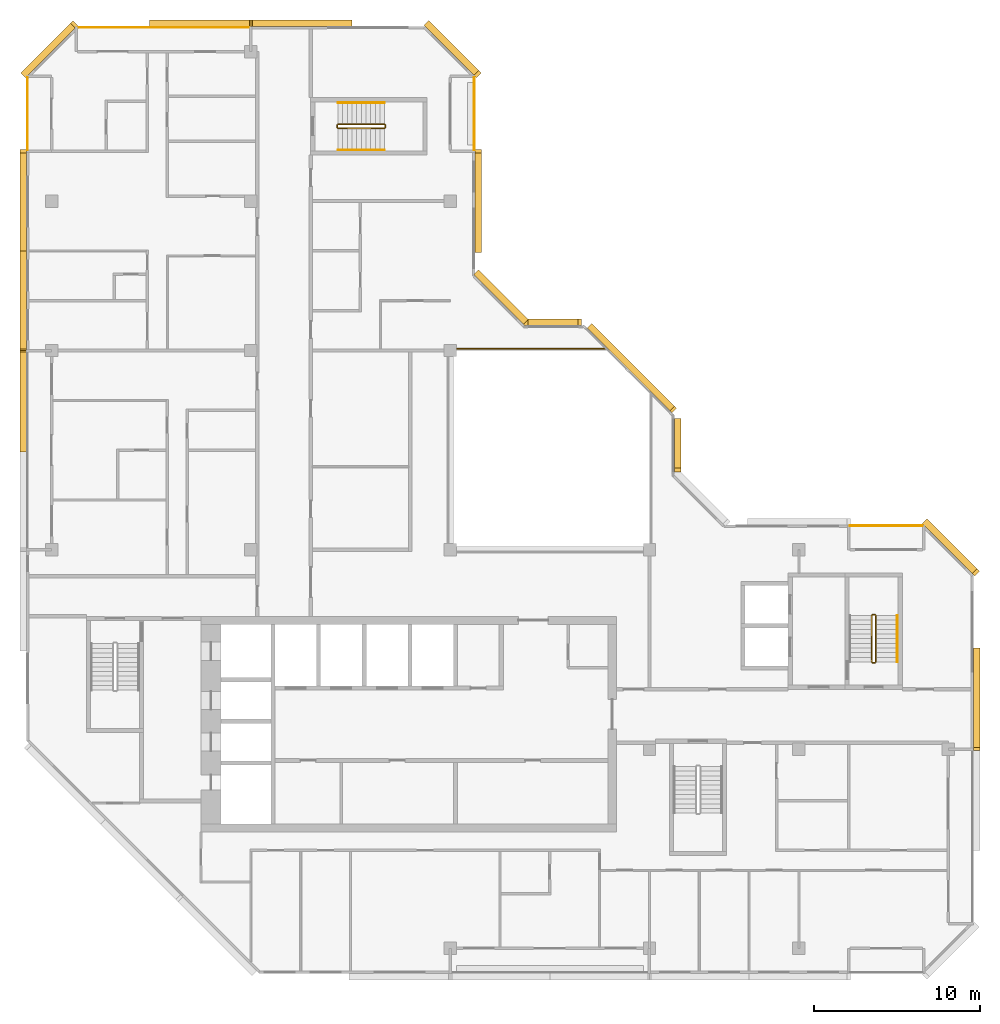
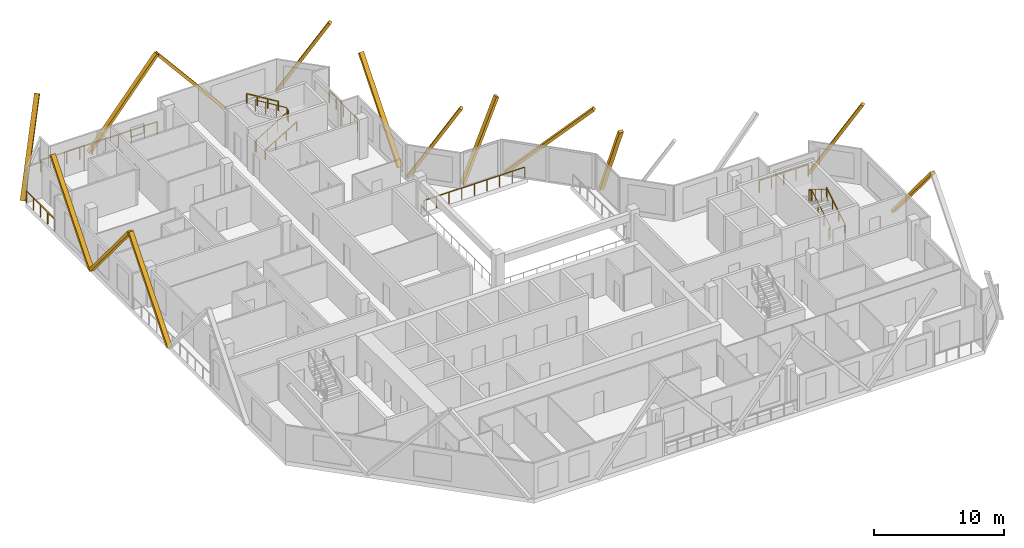
# One storey, part 12 of 12: 14 coverings, 10 railings.
"""IFC4 building model written with IfcOpenShell, lengths in metres."""

from ifc_helpers import new_model, si_unit, direction, frame, origin, origin_2d, place, context, subcontext, project, spatial, rectangle, extrude, material, material_profile, profile_set, type_object, element, save


model = new_model("IFC4")

# Units and contexts
model_context = context("Model", 3, precision=1e-05, world=origin(), true_north=direction((0.0, 1.0)))
body_context = subcontext(model_context, "Body", "Model", "MODEL_VIEW")
ifc_project = project(units=[si_unit("LENGTHUNIT", "METRE"), si_unit("AREAUNIT", "SQUARE_METRE"), si_unit("VOLUMEUNIT", "CUBIC_METRE"), si_unit("PLANEANGLEUNIT", "RADIAN"), si_unit("MASSUNIT", "GRAM", prefix="KILO")], contexts=[model_context])

# Site, building, storey
site_placement = place(None, origin())
site = spatial("IfcSite", under=ifc_project, at=site_placement, CompositionType="ELEMENT")
building_placement = place(site_placement, origin())
building = spatial("IfcBuilding", under=site, at=building_placement, Name="Chenar Terraces", CompositionType="ELEMENT")
storey_placement = place(building_placement, frame((0.0, 0.0, 353.89990234375)))
storey = spatial("IfcBuildingStorey", under=building, at=storey_placement, Name="L82", CompositionType="ELEMENT", Elevation=353.89990234375)

# Railings
ifc_material_1 = material(Name="Powder-coated steel", Category="steel")
railing_type_1 = type_object("IfcRailingType", Name="Guard 1100 steel rail with glass infill", PredefinedType="GUARDRAIL", material=ifc_material_1)
railing_1_placement = place(storey_placement, frame((24.425048828125, 36.10009765625, 0.0)))
element("IfcRailing", 1, at=railing_1_placement, inside=storey, type_object=railing_type_1, Name="Guard L82-2", PredefinedType="GUARDRAIL", context=body_context, shape_type="SweptSolid", body=[
    extrude(rectangle(XDim=0.06005859375, YDim=0.06005859375, at=origin_2d()), frame((0.0, 0.0, 1.070068359375), z_axis=(1.0, 0.0, 0.0), x_axis=(0.0, 1.0, 0.0)), (0.0, 0.0, 1.0), 8.974853515625),
    extrude(rectangle(XDim=0.050048828125, YDim=0.050048828125, at=origin_2d()), origin(), (0.0, 0.0, 1.0), 1.0400390625),
    extrude(rectangle(XDim=0.050048828125, YDim=0.050048828125, at=origin_2d()), frame((1.121826171875, 0.0, 0.0)), (0.0, 0.0, 1.0), 1.0400390625),
    extrude(rectangle(XDim=0.050048828125, YDim=0.050048828125, at=origin_2d()), frame((2.24365234375, 0.0, 0.0)), (0.0, 0.0, 1.0), 1.0400390625),
    extrude(rectangle(XDim=0.050048828125, YDim=0.050048828125, at=origin_2d()), frame((3.365478515625, 0.0, 0.0)), (0.0, 0.0, 1.0), 1.0400390625),
    extrude(rectangle(XDim=0.050048828125, YDim=0.050048828125, at=origin_2d()), frame((4.4873046875, 0.0, 0.0)), (0.0, 0.0, 1.0), 1.0400390625),
    extrude(rectangle(XDim=0.050048828125, YDim=0.050048828125, at=origin_2d()), frame((5.609375, 0.0, 0.0)), (0.0, 0.0, 1.0), 1.0400390625),
    extrude(rectangle(XDim=0.050048828125, YDim=0.050048828125, at=origin_2d()), frame((6.731201171875, 0.0, 0.0)), (0.0, 0.0, 1.0), 1.0400390625),
    extrude(rectangle(XDim=0.050048828125, YDim=0.050048828125, at=origin_2d()), frame((7.85302734375, 0.0, 0.0)), (0.0, 0.0, 1.0), 1.0400390625),
    extrude(rectangle(XDim=0.050048828125, YDim=0.050048828125, at=origin_2d()), frame((8.974853515625, 0.0, 0.0)), (0.0, 0.0, 1.0), 1.0400390625),
])
ifc_material_2 = material(Name="Stainless steel and glass", Category="steel")
railing_type_2 = type_object("IfcRailingType", Name="Loggia guard 1150", PredefinedType="GUARDRAIL", material=ifc_material_2)
railing_2_placement = place(storey_placement, frame((25.449951171875, 48.074951171875, 0.0)))
element("IfcRailing", 2, at=railing_2_placement, inside=storey, type_object=railing_type_2, Name="Loggia guard", PredefinedType="GUARDRAIL", context=body_context, shape_type="SweptSolid", body=[
    extrude(rectangle(XDim=0.048095703125, YDim=0.048095703125, at=origin_2d()), frame((0.0, 0.0, 1.1259765625), z_axis=(0.0, 1.0, 0.0), x_axis=(-1.0, 0.0, 0.0)), (0.0, 0.0, 1.0), 4.35009765625),
    extrude(rectangle(XDim=0.0419921875, YDim=0.0419921875, at=origin_2d()), origin(), (0.0, 0.0, 1.0), 1.101806640625),
    extrude(rectangle(XDim=0.0419921875, YDim=0.0419921875, at=origin_2d()), frame((0.0, 1.08740234375, 0.0)), (0.0, 0.0, 1.0), 1.101806640625),
    extrude(rectangle(XDim=0.0419921875, YDim=0.0419921875, at=origin_2d()), frame((0.0, 2.175048828125, 0.0)), (0.0, 0.0, 1.0), 1.101806640625),
    extrude(rectangle(XDim=0.0419921875, YDim=0.0419921875, at=origin_2d()), frame((0.0, 3.2626953125, 0.0)), (0.0, 0.0, 1.0), 1.101806640625),
    extrude(rectangle(XDim=0.0419921875, YDim=0.0419921875, at=origin_2d()), frame((0.0, 4.35009765625, 0.0)), (0.0, 0.0, 1.0), 1.101806640625),
])
railing_3_placement = place(storey_placement, frame((52.425048828125, 25.449951171875, 0.0)))
element("IfcRailing", 3, at=railing_3_placement, inside=storey, type_object=railing_type_2, Name="Loggia guard", PredefinedType="GUARDRAIL", context=body_context, shape_type="SweptSolid", body=[
    extrude(rectangle(XDim=0.048095703125, YDim=0.048095703125, at=origin_2d()), frame((0.0, 0.0, 1.1259765625), z_axis=(-1.0, 0.0, 0.0), x_axis=(0.0, -1.0, 0.0)), (0.0, 0.0, 1.0), 4.35009765625),
    extrude(rectangle(XDim=0.0419921875, YDim=0.0419921875, at=origin_2d()), origin(), (0.0, 0.0, 1.0), 1.101806640625),
    extrude(rectangle(XDim=0.0419921875, YDim=0.0419921875, at=origin_2d()), frame((-1.08740234375, 0.0, 0.0)), (0.0, 0.0, 1.0), 1.101806640625),
    extrude(rectangle(XDim=0.0419921875, YDim=0.0419921875, at=origin_2d()), frame((-2.175048828125, 0.0, 0.0)), (0.0, 0.0, 1.0), 1.101806640625),
    extrude(rectangle(XDim=0.0419921875, YDim=0.0419921875, at=origin_2d()), frame((-3.2626953125, 0.0, 0.0)), (0.0, 0.0, 1.0), 1.101806640625),
    extrude(rectangle(XDim=0.0419921875, YDim=0.0419921875, at=origin_2d()), frame((-4.35009765625, 0.0, 0.0)), (0.0, 0.0, 1.0), 1.101806640625),
])
railing_4_placement = place(storey_placement, frame((11.925048828125, 55.449951171875, 0.0)))
element("IfcRailing", 4, at=railing_4_placement, inside=storey, type_object=railing_type_2, Name="Loggia guard", PredefinedType="GUARDRAIL", context=body_context, shape_type="SweptSolid", body=[
    extrude(rectangle(XDim=0.048095703125, YDim=0.048095703125, at=origin_2d()), frame((0.0, 0.0, 1.1259765625), z_axis=(-1.0, 0.0, 0.0), x_axis=(0.0, -1.0, 0.0)), (0.0, 0.0, 1.0), 10.35009765625),
    extrude(rectangle(XDim=0.0419921875, YDim=0.0419921875, at=origin_2d()), origin(), (0.0, 0.0, 1.0), 1.101806640625),
    extrude(rectangle(XDim=0.0419921875, YDim=0.0419921875, at=origin_2d()), frame((-1.14990234375, 0.0, 0.0)), (0.0, 0.0, 1.0), 1.101806640625),
    extrude(rectangle(XDim=0.0419921875, YDim=0.0419921875, at=origin_2d()), frame((-2.300048828125, 0.0, 0.0)), (0.0, 0.0, 1.0), 1.101806640625),
    extrude(rectangle(XDim=0.0419921875, YDim=0.0419921875, at=origin_2d()), frame((-3.449951171875, 0.0, 0.0)), (0.0, 0.0, 1.0), 1.101806640625),
    extrude(rectangle(XDim=0.0419921875, YDim=0.0419921875, at=origin_2d()), frame((-4.60009765625, 0.0, 0.0)), (0.0, 0.0, 1.0), 1.101806640625),
    extrude(rectangle(XDim=0.0419921875, YDim=0.0419921875, at=origin_2d()), frame((-5.75, 0.0, 0.0)), (0.0, 0.0, 1.0), 1.101806640625),
    extrude(rectangle(XDim=0.0419921875, YDim=0.0419921875, at=origin_2d()), frame((-6.900146484375, 0.0, 0.0)), (0.0, 0.0, 1.0), 1.101806640625),
    extrude(rectangle(XDim=0.0419921875, YDim=0.0419921875, at=origin_2d()), frame((-8.050048828125, 0.0, 0.0)), (0.0, 0.0, 1.0), 1.101806640625),
    extrude(rectangle(XDim=0.0419921875, YDim=0.0419921875, at=origin_2d()), frame((-9.2001953125, 0.0, 0.0)), (0.0, 0.0, 1.0), 1.101806640625),
    extrude(rectangle(XDim=0.0419921875, YDim=0.0419921875, at=origin_2d()), frame((-10.35009765625, 0.0, 0.0)), (0.0, 0.0, 1.0), 1.101806640625),
])
railing_5_placement = place(storey_placement, frame((-1.449951171875, 52.425048828125, 0.0)))
element("IfcRailing", 5, at=railing_5_placement, inside=storey, type_object=railing_type_2, Name="Loggia guard", PredefinedType="GUARDRAIL", context=body_context, shape_type="SweptSolid", body=[
    extrude(rectangle(XDim=0.048095703125, YDim=0.048095703125, at=origin_2d()), frame((0.0, 0.0, 1.1259765625), z_axis=(0.0, -1.0, 0.0), x_axis=(1.0, 0.0, 0.0)), (0.0, 0.0, 1.0), 4.35009765625),
    extrude(rectangle(XDim=0.0419921875, YDim=0.0419921875, at=origin_2d()), origin(), (0.0, 0.0, 1.0), 1.101806640625),
    extrude(rectangle(XDim=0.0419921875, YDim=0.0419921875, at=origin_2d()), frame((0.0, -1.08740234375, 0.0)), (0.0, 0.0, 1.0), 1.101806640625),
    extrude(rectangle(XDim=0.0419921875, YDim=0.0419921875, at=origin_2d()), frame((0.0, -2.175048828125, 0.0)), (0.0, 0.0, 1.0), 1.101806640625),
    extrude(rectangle(XDim=0.0419921875, YDim=0.0419921875, at=origin_2d()), frame((0.0, -3.2626953125, 0.0)), (0.0, 0.0, 1.0), 1.101806640625),
    extrude(rectangle(XDim=0.0419921875, YDim=0.0419921875, at=origin_2d()), frame((0.0, -4.35009765625, 0.0)), (0.0, 0.0, 1.0), 1.101806640625),
])
ifc_material_3 = material(Name="Powder-coated steel", Category="steel")
railing_type_3 = type_object("IfcRailingType", Name="Stair guard 1100", PredefinedType="GUARDRAIL", material=ifc_material_3)
railing_6_placement = place(storey_placement, frame((49.375, 17.25, 3.75)))
element("IfcRailing", 6, at=railing_6_placement, inside=storey, type_object=railing_type_3, Name="L82 ST3 stair guard 1", PredefinedType="GUARDRAIL", context=body_context, shape_type="SweptSolid", body=[
    extrude(rectangle(XDim=0.048095703125, YDim=0.048095703125, at=origin_2d()), frame((0.0, 0.0, 1.076171875), z_axis=(0.0, 0.854202870247, -0.519939858505), x_axis=(-1.0, 0.0, 0.0)), (0.0, 0.0, 1.0), 3.278076171875),
    extrude(rectangle(XDim=0.048095703125, YDim=0.048095703125, at=origin_2d()), frame((0.0, 2.800048828125, -0.62841796875), z_axis=(0.270899902878, 0.270899902878, -0.923702595667), x_axis=(-0.707106781187, 0.707106781187, 0.0)), (0.0, 0.0, 1.0), 0.184814453125),
    extrude(rectangle(XDim=0.048095703125, YDim=0.048095703125, at=origin_2d()), frame((0.050048828125, 2.85009765625, -0.798828125), z_axis=(1.0, 0.0, 0.0), x_axis=(0.0, 1.0, 0.0)), (0.0, 0.0, 1.0), 0.14990234375),
    extrude(rectangle(XDim=0.048095703125, YDim=0.048095703125, at=origin_2d()), frame((0.199951171875, 2.85009765625, -0.798828125), z_axis=(0.707106781187, -0.707106781187, 0.0), x_axis=(0.707106781187, 0.707106781187, 0.0)), (0.0, 0.0, 1.0), 0.07080078125),
    extrude(rectangle(XDim=0.048095703125, YDim=0.048095703125, at=origin_2d()), frame((0.25, 2.800048828125, -0.798828125), z_axis=(0.0, -0.854202870247, -0.519939858505), x_axis=(1.0, 0.0, 0.0)), (0.0, 0.0, 1.0), 3.278076171875),
    extrude(rectangle(XDim=0.048095703125, YDim=0.048095703125, at=origin_2d()), frame((0.25, 0.0, -2.50341796875), z_axis=(-0.270899902878, -0.270899902878, -0.923702595667), x_axis=(0.707106781187, -0.707106781187, 0.0)), (0.0, 0.0, 1.0), 0.184814453125),
    extrude(rectangle(XDim=0.048095703125, YDim=0.048095703125, at=origin_2d()), frame((0.199951171875, -0.050048828125, -2.673828125), z_axis=(-1.0, 0.0, 0.0), x_axis=(0.0, -1.0, 0.0)), (0.0, 0.0, 1.0), 0.14990234375),
    extrude(rectangle(XDim=0.0419921875, YDim=0.0419921875, at=origin_2d()), origin(), (0.0, 0.0, 1.0), 1.052001953125),
    extrude(rectangle(XDim=0.0419921875, YDim=0.0419921875, at=origin_2d()), frame((0.0, 0.933349609375, -0.568115234375)), (0.0, 0.0, 1.0), 1.052001953125),
    extrude(rectangle(XDim=0.0419921875, YDim=0.0419921875, at=origin_2d()), frame((0.0, 1.86669921875, -1.13623046875)), (0.0, 0.0, 1.0), 1.052001953125),
    extrude(rectangle(XDim=0.0419921875, YDim=0.0419921875, at=origin_2d()), frame((0.0, 2.800048828125, -1.704345703125)), (0.0, 0.0, 1.0), 1.052001953125),
    extrude(rectangle(XDim=0.0419921875, YDim=0.0419921875, at=origin_2d()), frame((0.050048828125, 2.85009765625, -1.875)), (0.0, 0.0, 1.0), 1.052001953125),
    extrude(rectangle(XDim=0.0419921875, YDim=0.0419921875, at=origin_2d()), frame((0.199951171875, 2.85009765625, -1.875)), (0.0, 0.0, 1.0), 1.052001953125),
    extrude(rectangle(XDim=0.0419921875, YDim=0.0419921875, at=origin_2d()), frame((0.25, 2.800048828125, -1.875)), (0.0, 0.0, 1.0), 1.052001953125),
    extrude(rectangle(XDim=0.0419921875, YDim=0.0419921875, at=origin_2d()), frame((0.25, 1.86669921875, -2.443115234375)), (0.0, 0.0, 1.0), 1.052001953125),
    extrude(rectangle(XDim=0.0419921875, YDim=0.0419921875, at=origin_2d()), frame((0.25, 0.933349609375, -3.01123046875)), (0.0, 0.0, 1.0), 1.052001953125),
    extrude(rectangle(XDim=0.0419921875, YDim=0.0419921875, at=origin_2d()), frame((0.25, 0.0, -3.579345703125)), (0.0, 0.0, 1.0), 1.052001953125),
    extrude(rectangle(XDim=0.0419921875, YDim=0.0419921875, at=origin_2d()), frame((0.199951171875, -0.050048828125, -3.75)), (0.0, 0.0, 1.0), 1.052001953125),
    extrude(rectangle(XDim=0.0419921875, YDim=0.0419921875, at=origin_2d()), frame((0.050048828125, -0.050048828125, -3.75)), (0.0, 0.0, 1.0), 1.052001953125),
])
railing_7_placement = place(storey_placement, frame((17.25, 49.625, 3.75)))
element("IfcRailing", 7, at=railing_7_placement, inside=storey, type_object=railing_type_3, Name="L82 ST4 stair guard 1", PredefinedType="GUARDRAIL", context=body_context, shape_type="SweptSolid", body=[
    extrude(rectangle(XDim=0.048095703125, YDim=0.048095703125, at=origin_2d()), frame((0.0, 0.0, 1.076171875), z_axis=(0.854202870247, 0.0, -0.519939858505), x_axis=(0.0, 1.0, 0.0)), (0.0, 0.0, 1.0), 3.278076171875),
    extrude(rectangle(XDim=0.048095703125, YDim=0.048095703125, at=origin_2d()), frame((2.800048828125, 0.0, -0.62841796875), z_axis=(0.270899902878, -0.270899902878, -0.923702595667), x_axis=(0.707106781187, 0.707106781187, 0.0)), (0.0, 0.0, 1.0), 0.184814453125),
    extrude(rectangle(XDim=0.048095703125, YDim=0.048095703125, at=origin_2d()), frame((2.85009765625, -0.050048828125, -0.798828125), z_axis=(0.0, -1.0, 0.0), x_axis=(1.0, 0.0, 0.0)), (0.0, 0.0, 1.0), 0.14990234375),
    extrude(rectangle(XDim=0.048095703125, YDim=0.048095703125, at=origin_2d()), frame((2.85009765625, -0.199951171875, -0.798828125), z_axis=(-0.707106781187, -0.707106781187, 0.0), x_axis=(0.707106781187, -0.707106781187, 0.0)), (0.0, 0.0, 1.0), 0.07080078125),
    extrude(rectangle(XDim=0.048095703125, YDim=0.048095703125, at=origin_2d()), frame((2.800048828125, -0.25, -0.798828125), z_axis=(-0.854202870247, 0.0, -0.519939858505), x_axis=(0.0, -1.0, 0.0)), (0.0, 0.0, 1.0), 3.278076171875),
    extrude(rectangle(XDim=0.048095703125, YDim=0.048095703125, at=origin_2d()), frame((0.0, -0.25, -2.50341796875), z_axis=(-0.270899902878, 0.270899902878, -0.923702595667), x_axis=(-0.707106781187, -0.707106781187, 0.0)), (0.0, 0.0, 1.0), 0.184814453125),
    extrude(rectangle(XDim=0.048095703125, YDim=0.048095703125, at=origin_2d()), frame((-0.050048828125, -0.199951171875, -2.673828125), z_axis=(0.0, 1.0, 0.0), x_axis=(-1.0, 0.0, 0.0)), (0.0, 0.0, 1.0), 0.14990234375),
    extrude(rectangle(XDim=0.0419921875, YDim=0.0419921875, at=origin_2d()), origin(), (0.0, 0.0, 1.0), 1.052001953125),
    extrude(rectangle(XDim=0.0419921875, YDim=0.0419921875, at=origin_2d()), frame((0.933349609375, 0.0, -0.568115234375)), (0.0, 0.0, 1.0), 1.052001953125),
    extrude(rectangle(XDim=0.0419921875, YDim=0.0419921875, at=origin_2d()), frame((1.86669921875, 0.0, -1.13623046875)), (0.0, 0.0, 1.0), 1.052001953125),
    extrude(rectangle(XDim=0.0419921875, YDim=0.0419921875, at=origin_2d()), frame((2.800048828125, 0.0, -1.704345703125)), (0.0, 0.0, 1.0), 1.052001953125),
    extrude(rectangle(XDim=0.0419921875, YDim=0.0419921875, at=origin_2d()), frame((2.85009765625, -0.050048828125, -1.875)), (0.0, 0.0, 1.0), 1.052001953125),
    extrude(rectangle(XDim=0.0419921875, YDim=0.0419921875, at=origin_2d()), frame((2.85009765625, -0.199951171875, -1.875)), (0.0, 0.0, 1.0), 1.052001953125),
    extrude(rectangle(XDim=0.0419921875, YDim=0.0419921875, at=origin_2d()), frame((2.800048828125, -0.25, -1.875)), (0.0, 0.0, 1.0), 1.052001953125),
    extrude(rectangle(XDim=0.0419921875, YDim=0.0419921875, at=origin_2d()), frame((1.86669921875, -0.25, -2.443115234375)), (0.0, 0.0, 1.0), 1.052001953125),
    extrude(rectangle(XDim=0.0419921875, YDim=0.0419921875, at=origin_2d()), frame((0.933349609375, -0.25, -3.01123046875)), (0.0, 0.0, 1.0), 1.052001953125),
    extrude(rectangle(XDim=0.0419921875, YDim=0.0419921875, at=origin_2d()), frame((0.0, -0.25, -3.579345703125)), (0.0, 0.0, 1.0), 1.052001953125),
    extrude(rectangle(XDim=0.0419921875, YDim=0.0419921875, at=origin_2d()), frame((-0.050048828125, -0.199951171875, -3.75)), (0.0, 0.0, 1.0), 1.052001953125),
    extrude(rectangle(XDim=0.0419921875, YDim=0.0419921875, at=origin_2d()), frame((-0.050048828125, -0.050048828125, -3.75)), (0.0, 0.0, 1.0), 1.052001953125),
])
ifc_material_4 = material(Name="Powder-coated steel", Category="steel")
railing_type_4 = type_object("IfcRailingType", Name="Stair handrail 900", PredefinedType="HANDRAIL", material=ifc_material_4)
railing_8_placement = place(storey_placement, frame((50.925048828125, 17.25, 0.170654296875)))
element("IfcRailing", 8, at=railing_8_placement, inside=storey, type_object=railing_type_4, Name="L82 ST3 stair handrail 1", PredefinedType="HANDRAIL", context=body_context, shape_type="SweptSolid", body=[
    extrude(rectangle(XDim=0.048095703125, YDim=0.048095703125, at=origin_2d()), frame((0.0, 0.0, 0.8759765625), z_axis=(0.0, 0.854202870247, 0.519939858505), x_axis=(-1.0, 0.0, 0.0)), (0.0, 0.0, 1.0), 3.278076171875),
    extrude(rectangle(XDim=0.0419921875, YDim=0.0419921875, at=origin_2d()), origin(), (0.0, 0.0, 1.0), 0.851806640625),
    extrude(rectangle(XDim=0.0419921875, YDim=0.0419921875, at=origin_2d()), frame((0.0, 0.933349609375, 0.568115234375)), (0.0, 0.0, 1.0), 0.851806640625),
    extrude(rectangle(XDim=0.0419921875, YDim=0.0419921875, at=origin_2d()), frame((0.0, 1.86669921875, 1.13623046875)), (0.0, 0.0, 1.0), 0.851806640625),
    extrude(rectangle(XDim=0.0419921875, YDim=0.0419921875, at=origin_2d()), frame((0.0, 2.800048828125, 1.704345703125)), (0.0, 0.0, 1.0), 0.851806640625),
])
railing_9_placement = place(storey_placement, frame((17.25, 48.074951171875, 0.170654296875)))
element("IfcRailing", 9, at=railing_9_placement, inside=storey, type_object=railing_type_4, Name="L82 ST4 stair handrail 1", PredefinedType="HANDRAIL", context=body_context, shape_type="SweptSolid", body=[
    extrude(rectangle(XDim=0.048095703125, YDim=0.048095703125, at=origin_2d()), frame((0.0, 0.0, 0.8759765625), z_axis=(0.854202870247, 0.0, 0.519939858505), x_axis=(0.0, 1.0, 0.0)), (0.0, 0.0, 1.0), 3.278076171875),
    extrude(rectangle(XDim=0.0419921875, YDim=0.0419921875, at=origin_2d()), origin(), (0.0, 0.0, 1.0), 0.851806640625),
    extrude(rectangle(XDim=0.0419921875, YDim=0.0419921875, at=origin_2d()), frame((0.933349609375, 0.0, 0.568115234375)), (0.0, 0.0, 1.0), 0.851806640625),
    extrude(rectangle(XDim=0.0419921875, YDim=0.0419921875, at=origin_2d()), frame((1.86669921875, 0.0, 1.13623046875)), (0.0, 0.0, 1.0), 0.851806640625),
    extrude(rectangle(XDim=0.0419921875, YDim=0.0419921875, at=origin_2d()), frame((2.800048828125, 0.0, 1.704345703125)), (0.0, 0.0, 1.0), 0.851806640625),
])
railing_10_placement = place(storey_placement, frame((20.050048828125, 50.925048828125, 2.045654296875)))
element("IfcRailing", 10, at=railing_10_placement, inside=storey, type_object=railing_type_4, Name="L82 ST4 stair handrail 2", PredefinedType="HANDRAIL", context=body_context, shape_type="SweptSolid", body=[
    extrude(rectangle(XDim=0.048095703125, YDim=0.048095703125, at=origin_2d()), frame((0.0, 0.0, 0.8759765625), z_axis=(-0.854202870247, 0.0, 0.519939858505), x_axis=(0.0, -1.0, 0.0)), (0.0, 0.0, 1.0), 3.278076171875),
    extrude(rectangle(XDim=0.0419921875, YDim=0.0419921875, at=origin_2d()), origin(), (0.0, 0.0, 1.0), 0.851806640625),
    extrude(rectangle(XDim=0.0419921875, YDim=0.0419921875, at=origin_2d()), frame((-0.933349609375, 0.0, 0.568115234375)), (0.0, 0.0, 1.0), 0.851806640625),
    extrude(rectangle(XDim=0.0419921875, YDim=0.0419921875, at=origin_2d()), frame((-1.86669921875, 0.0, 1.13623046875)), (0.0, 0.0, 1.0), 0.851806640625),
    extrude(rectangle(XDim=0.0419921875, YDim=0.0419921875, at=origin_2d()), frame((-2.800048828125, 0.0, 1.704345703125)), (0.0, 0.0, 1.0), 0.851806640625),
])

# Coverings
ifc_material_5 = material(Name="Terracotta", Category="masonry")
ifc_material_profile = material_profile(ifc_material_5, rectangle(XDim=0.39990234375, YDim=0.25, at=origin_2d()), Name="Terracotta baguette 400 x 250")
ifc_profile_set = profile_set([ifc_material_profile], Name="Terracotta")
covering_type = type_object("IfcCoveringType", Name="Terracotta baguette 400 x 250", PredefinedType="CLADDING", material=ifc_profile_set)
covering_1_placement = place(storey_placement, frame((37.699951171875, 28.800048828125, 7.35009765625), z_axis=(0.0, 0.384617607118, -0.923075997031), x_axis=(-1.0, 0.0, 0.0)))
element("IfcCovering", 11, at=covering_1_placement, inside=storey, type_object=covering_type, Name="Terracotta baguette", PredefinedType="CLADDING", context=body_context, shape_type="SweptSolid", body=[
    extrude(rectangle(XDim=0.39990234375, YDim=0.25, at=origin_2d()), origin(), (0.0, 0.0, 1.0), 7.800048828125),
])
covering_2_placement = place(storey_placement, frame((37.42919921875, 32.45361328125, 7.35009765625), z_axis=(-0.494222393737, 0.4942466441, -0.715167449151), x_axis=(-0.707124128605, -0.707089433343, 0.0)))
element("IfcCovering", 12, at=covering_2_placement, inside=storey, type_object=covering_type, Name="Terracotta baguette", PredefinedType="CLADDING", context=body_context, shape_type="SweptSolid", body=[
    extrude(rectangle(XDim=0.39990234375, YDim=0.25, at=origin_2d()), origin(), (0.0, 0.0, 1.0), 10.0673828125),
])
covering_3_placement = place(storey_placement, frame((31.800048828125, 37.699951171875, 7.35009765625), z_axis=(-0.384617607118, 0.0, -0.923075997031), x_axis=(0.0, -1.0, 0.0)))
element("IfcCovering", 13, at=covering_3_placement, inside=storey, type_object=covering_type, Name="Terracotta baguette", PredefinedType="CLADDING", context=body_context, shape_type="SweptSolid", body=[
    extrude(rectangle(XDim=0.39990234375, YDim=0.25, at=origin_2d()), origin(), (0.0, 0.0, 1.0), 7.800048828125),
])
covering_4_placement = place(storey_placement, frame((28.641357421875, 37.641357421875, 7.35009765625), z_axis=(-0.358980886355, 0.358980886355, -0.861548284464), x_axis=(-0.707106781187, -0.707106781187, 0.0)))
element("IfcCovering", 14, at=covering_4_placement, inside=storey, type_object=covering_type, Name="Terracotta baguette", PredefinedType="CLADDING", context=body_context, shape_type="SweptSolid", body=[
    extrude(rectangle(XDim=0.39990234375, YDim=0.25, at=origin_2d()), origin(), (0.0, 0.0, 1.0), 8.35693359375),
])
covering_5_placement = place(storey_placement, frame((25.699951171875, 42.0, 0.150146484375), z_axis=(0.0, 0.640186961885, 0.768219144407), x_axis=(-1.0, 0.0, 0.0)))
element("IfcCovering", 15, at=covering_5_placement, inside=storey, type_object=covering_type, Name="Terracotta baguette", PredefinedType="CLADDING", context=body_context, shape_type="SweptSolid", body=[
    extrude(rectangle(XDim=0.39990234375, YDim=0.25, at=origin_2d()), origin(), (0.0, 0.0, 1.0), 9.372314453125),
])
covering_6_placement = place(storey_placement, frame((25.641357421875, 52.641357421875, 7.35009765625), z_axis=(-0.358980886355, 0.358980886355, -0.861548284464), x_axis=(-0.707106781187, -0.707106781187, 0.0)))
element("IfcCovering", 16, at=covering_6_placement, inside=storey, type_object=covering_type, Name="Terracotta baguette", PredefinedType="CLADDING", context=body_context, shape_type="SweptSolid", body=[
    extrude(rectangle(XDim=0.39990234375, YDim=0.25, at=origin_2d()), origin(), (0.0, 0.0, 1.0), 8.35693359375),
])
for number, where, z_axis, x_axis, name in (
    (17, (18.0, 55.699951171875, 0.150146484375), (-0.640186961885, 0.0, 0.768219144407), (0.0, -1.0, 0.0), "Terracotta baguette"),
    (18, (12.0, 55.699951171875, 7.35009765625), (-0.640186961885, 0.0, -0.768219144407), (0.0, -1.0, 0.0), "Terracotta baguette"),
):
    element("IfcCovering", number, at=place(storey_placement, frame(where, z_axis=z_axis, x_axis=x_axis)), inside=storey, type_object=covering_type, Name=name, PredefinedType="CLADDING", context=body_context, shape_type="SweptSolid", body=[
        extrude(rectangle(XDim=0.39990234375, YDim=0.25, at=origin_2d()), origin(), (0.0, 0.0, 1.0), 9.372314453125),
    ])
covering_7_placement = place(storey_placement, frame((1.358642578125, 55.641357421875, 7.35009765625), z_axis=(-0.358980886355, -0.358980886355, -0.861548284464), x_axis=(0.707106781187, -0.707106781187, 0.0)))
element("IfcCovering", 19, at=covering_7_placement, inside=storey, type_object=covering_type, Name="Terracotta baguette", PredefinedType="CLADDING", context=body_context, shape_type="SweptSolid", body=[
    extrude(rectangle(XDim=0.39990234375, YDim=0.25, at=origin_2d()), origin(), (0.0, 0.0, 1.0), 8.35693359375),
])
for number, where, z_axis, x_axis, name in (
    (20, (-1.699951171875, 48.0, 7.35009765625), (0.0, -0.640186961885, -0.768219144407), (1.0, 0.0, 0.0), "Terracotta baguette"),
    (21, (-1.699951171875, 42.0, 0.150146484375), (0.0, -0.640186961885, 0.768219144407), (1.0, 0.0, 0.0), "Terracotta baguette"),
    (22, (-1.699951171875, 36.0, 7.35009765625), (0.0, -0.640186961885, -0.768219144407), (1.0, 0.0, 0.0), "Terracotta baguette"),
    (23, (55.699951171875, 12.0, 7.35009765625), (0.0, 0.640186961885, -0.768219144407), (-1.0, 0.0, 0.0), "Terracotta baguette"),
):
    element("IfcCovering", number, at=place(storey_placement, frame(where, z_axis=z_axis, x_axis=x_axis)), inside=storey, type_object=covering_type, Name=name, PredefinedType="CLADDING", context=body_context, shape_type="SweptSolid", body=[
        extrude(rectangle(XDim=0.39990234375, YDim=0.25, at=origin_2d()), origin(), (0.0, 0.0, 1.0), 9.372314453125),
    ])
covering_8_placement = place(storey_placement, frame((55.641357421875, 22.641357421875, 7.35009765625), z_axis=(-0.358980886355, 0.358980886355, -0.861548284464), x_axis=(-0.707106781187, -0.707106781187, 0.0)))
element("IfcCovering", 24, at=covering_8_placement, inside=storey, type_object=covering_type, Name="Terracotta baguette", PredefinedType="CLADDING", context=body_context, shape_type="SweptSolid", body=[
    extrude(rectangle(XDim=0.39990234375, YDim=0.25, at=origin_2d()), origin(), (0.0, 0.0, 1.0), 8.35693359375),
])

save(model, "model.ifc")
